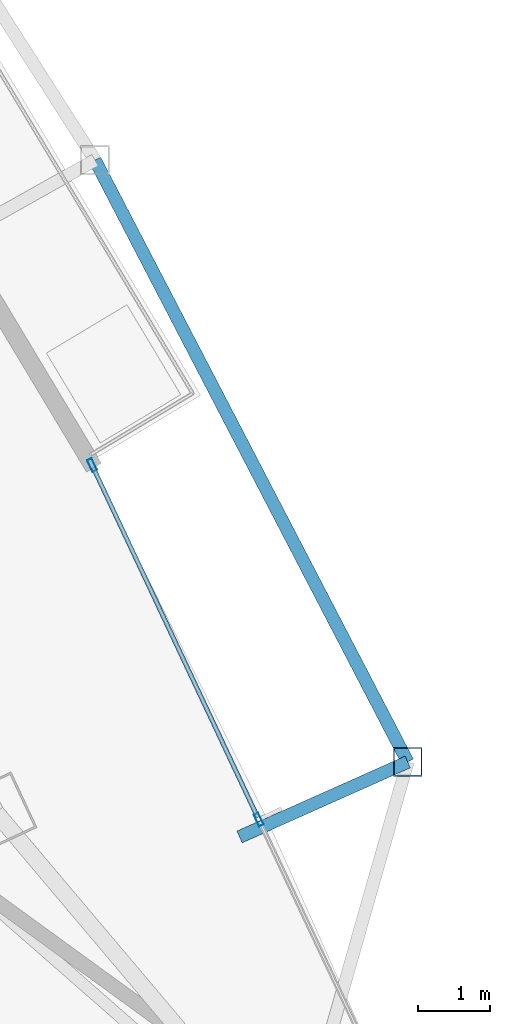
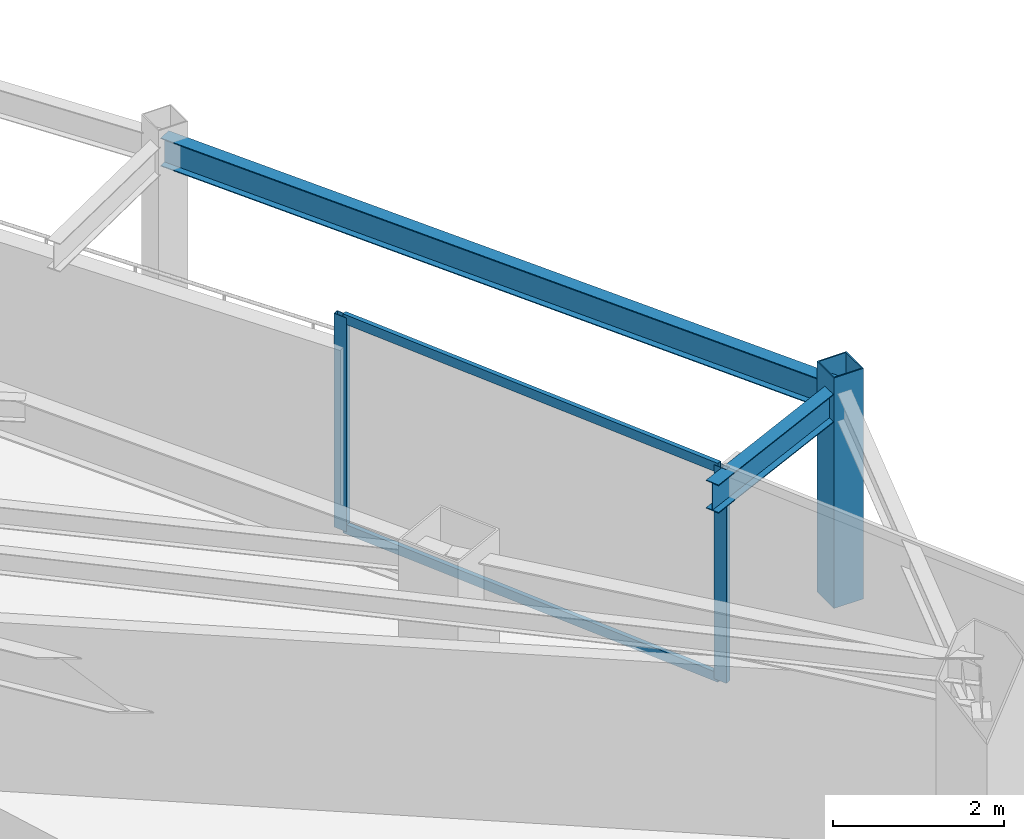
# One storey, part 16 of 29: 5 members, 2 beams, 1 element without a shape of its own.
"""IFC4 building model written with IfcOpenShell, lengths in metres."""

from ifc_helpers import new_model, si_unit, direction, frame, origin, origin_2d, place, context, subcontext, project, spatial, hollow_rectangle, i_section, extrude, material, layer, layer_set, material_profile, profile_set, type_object, element, aggregate, save


model = new_model("IFC4")

# Units and contexts
model_context = context("Model", 3, precision=1e-05, world=origin(), true_north=direction((0.0, 1.0)))
body_context = subcontext(model_context, "Body", "Model", "MODEL_VIEW")
ifc_project = project(units=[si_unit("LENGTHUNIT", "METRE"), si_unit("AREAUNIT", "SQUARE_METRE"), si_unit("VOLUMEUNIT", "CUBIC_METRE"), si_unit("PLANEANGLEUNIT", "RADIAN"), si_unit("MASSUNIT", "GRAM", prefix="KILO")], contexts=[model_context])

# Site, building, storey
site_placement = place(None, origin())
site = spatial("IfcSite", under=ifc_project, at=site_placement, CompositionType="ELEMENT")
building_placement = place(site_placement, origin())
building = spatial("IfcBuilding", under=site, at=building_placement, Name="Orvanel Arch Residences", CompositionType="ELEMENT")
storey_placement = place(building_placement, frame((0.0, 0.0, 163.85009765625)))
storey = spatial("IfcBuildingStorey", under=building, at=storey_placement, Name="L46", CompositionType="ELEMENT", Elevation=163.85009765625)

# Curtain wall, members
ifc_material_1 = material(Name="Bronze-anodised aluminium AA6063-T6", Category="aluminium")
ifc_layer = layer(ifc_material_1, 0.179931640625)
ifc_layer_set = layer_set([ifc_layer], Name="Bronze-anodised aluminium AA6063-T6")
curtain_wall_type = type_object("IfcCurtainWallType", Name="CW3-MID-SYS", PredefinedType="NOTDEFINED", material=ifc_layer_set)
curtain_wall_placement = place(storey_placement, origin())
curtain_wall = element("IfcCurtainWall", 1, at=curtain_wall_placement, inside=storey, type_object=curtain_wall_type, Name="L46 CW3-MID-SYS Unitised Curtain Wall", PredefinedType="NOTDEFINED")
ifc_material_profile_1 = material_profile(ifc_material_1, hollow_rectangle(XDim=0.070068359375, YDim=0.179931640625, WallThickness=0.00439453125, at=origin_2d()), Name="ALU180x70x4.5")
ifc_profile_set_1 = profile_set([ifc_material_profile_1], Name="Bronze-anodised aluminium AA6063-T6")
member_type_1 = type_object("IfcMemberType", Name="MUL-180x70", PredefinedType="MULLION", material=ifc_profile_set_1)
member_1_placement = place(storey_placement, frame((53.26904296875, 19.5458984375, 0.0), z_axis=(0.0, 0.0, 1.0), x_axis=(-0.904972224309, -0.42547064908, 0.0)))
member_1 = element("IfcMember", 2, at=member_1_placement, type_object=member_type_1, Name="CW-S3 mullion 2", PredefinedType="MULLION", context=body_context, shape_type="SweptSolid", body=[
    extrude(hollow_rectangle(XDim=0.070068359375, YDim=0.179931640625, WallThickness=0.00439453125, at=origin_2d()), origin(), (0.0, 0.0, 1.0), 3.059814453125),
])
member_2_placement = place(storey_placement, frame((50.9609375, 24.455322265625, 0.0), z_axis=(0.0, 0.0, 1.0), x_axis=(-0.904972224309, -0.42547064908, 0.0)))
member_2 = element("IfcMember", 3, at=member_2_placement, type_object=member_type_1, Name="CW-S3 mullion 3", PredefinedType="MULLION", context=body_context, shape_type="SweptSolid", body=[
    extrude(hollow_rectangle(XDim=0.070068359375, YDim=0.179931640625, WallThickness=0.00439453125, at=origin_2d()), origin(), (0.0, 0.0, 1.0), 3.059814453125),
])

# Beams
ifc_material_2 = material(Name="Structural steel AS/NZS 3679.1 Grade 300 (300 MPa)", Category="steel")
ifc_material_profile_2 = material_profile(ifc_material_2, i_section(OverallWidth=0.177978515625, OverallDepth=0.406005859375, WebThickness=0.0078125, FlangeThickness=0.0126953125, at=origin_2d()), Name="410UB59.7")
ifc_profile_set_2 = profile_set([ifc_material_profile_2], Name="Structural steel AS/NZS 3679.1 Grade 300 (300 MPa)")
beam_type = type_object("IfcBeamType", Name="OB-410UB-EXT", PredefinedType="SPANDREL", material=ifc_profile_set_2)
beam_1_placement = place(storey_placement, frame((53.0029296875, 19.304931640625, 2.85693359375), z_axis=(0.913242208685, 0.4074170692, 0.0), x_axis=(-0.4074170692, 0.913242208685, 0.0)))
element("IfcBeam", 4, at=beam_1_placement, inside=storey, type_object=beam_type, Name="L46 Outer Frame Radial Tie Beam 09", PredefinedType="SPANDREL", context=body_context, shape_type="SweptSolid", body=[
    extrude(i_section(OverallWidth=0.177978515625, OverallDepth=0.406005859375, WebThickness=0.0078125, FlangeThickness=0.0126953125, at=origin_2d()), origin(), (0.0, 0.0, 1.0), 2.55029296875),
])
beam_2_placement = place(storey_placement, frame((55.33203125, 20.343994140625, 2.85693359375), z_axis=(-0.461090836527, 0.887352940194, 0.0), x_axis=(-0.887352940194, -0.461090836527, 0.0)))
element("IfcBeam", 5, at=beam_2_placement, inside=storey, type_object=beam_type, Name="L46 Outer Perimeter Floor Ring Beam 09", PredefinedType="SPANDREL", context=body_context, shape_type="SweptSolid", body=[
    extrude(i_section(OverallWidth=0.177978515625, OverallDepth=0.406005859375, WebThickness=0.0078125, FlangeThickness=0.0126953125, at=origin_2d()), origin(), (0.0, 0.0, 1.0), 9.39306640625),
])

# Member
ifc_material_3 = material(Name="Structural steel AS/NZS 1163 C450L0 (Grade 450)", Category="steel")
ifc_material_profile_3 = material_profile(ifc_material_3, hollow_rectangle(XDim=0.39990234375, YDim=0.39990234375, WallThickness=0.01611328125, at=origin_2d()), Name="SHS400x400x16")
ifc_profile_set_3 = profile_set([ifc_material_profile_3], Name="Structural steel AS/NZS 1163 C450L0 (Grade 450)")
member_type_2 = type_object("IfcMemberType", Name="ST-400SHS-EXT", PredefinedType="STRUT", material=ifc_profile_set_3)
member_3_placement = place(storey_placement, frame((55.33203125, 20.343994140625, 0.0), z_axis=(0.0, 0.0, 1.0), x_axis=(1.0, 0.0, 0.0)))
element("IfcMember", 6, at=member_3_placement, inside=storey, type_object=member_type_2, Name="L46 Outer Perimeter Frame Post 09", PredefinedType="STRUT", context=body_context, shape_type="SweptSolid", body=[
    extrude(hollow_rectangle(XDim=0.39990234375, YDim=0.39990234375, WallThickness=0.01611328125, at=origin_2d()), origin(), (0.0, 0.0, 1.0), 3.2998046875),
])

ifc_material_profile_4 = material_profile(ifc_material_1, hollow_rectangle(XDim=0.06005859375, YDim=0.135009765625, WallThickness=0.00390625, at=origin_2d()), Name="ALU135x60x4")
ifc_profile_set_4 = profile_set([ifc_material_profile_4], Name="Bronze-anodised aluminium AA6063-T6")
member_type_3 = type_object("IfcMemberType", Name="TRN-135x60", PredefinedType="USERDEFINED", material=ifc_profile_set_4)
member_4_placement = place(storey_placement, frame((53.254150390625, 19.57763671875, 0.02978515625), z_axis=(-0.425472047127, 0.904971567019, 0.0), x_axis=(-0.904971567019, -0.425472047127, 0.0)))
member_4 = element("IfcMember", 7, at=member_4_placement, type_object=member_type_3, Name="CW-S3 transom 2.1", ObjectType="TRANSOM", PredefinedType="USERDEFINED", context=body_context, shape_type="SweptSolid", body=[
    extrude(hollow_rectangle(XDim=0.06005859375, YDim=0.135009765625, WallThickness=0.00390625, at=origin_2d()), origin(), (0.0, 0.0, 1.0), 5.354736328125),
])

member_5_placement = place(storey_placement, frame((53.254150390625, 19.57763671875, 3.02978515625), z_axis=(-0.425472047127, 0.904971567019, 0.0), x_axis=(-0.904971567019, -0.425472047127, 0.0)))
member_5 = element("IfcMember", 8, at=member_5_placement, type_object=member_type_3, Name="CW-S3 transom 2.2", ObjectType="TRANSOM", PredefinedType="USERDEFINED", context=body_context, shape_type="SweptSolid", body=[
    extrude(hollow_rectangle(XDim=0.06005859375, YDim=0.135009765625, WallThickness=0.00390625, at=origin_2d()), origin(), (0.0, 0.0, 1.0), 5.354736328125),
])

aggregate(curtain_wall, [member_1, member_2, member_4, member_5])

save(model, "model.ifc")
